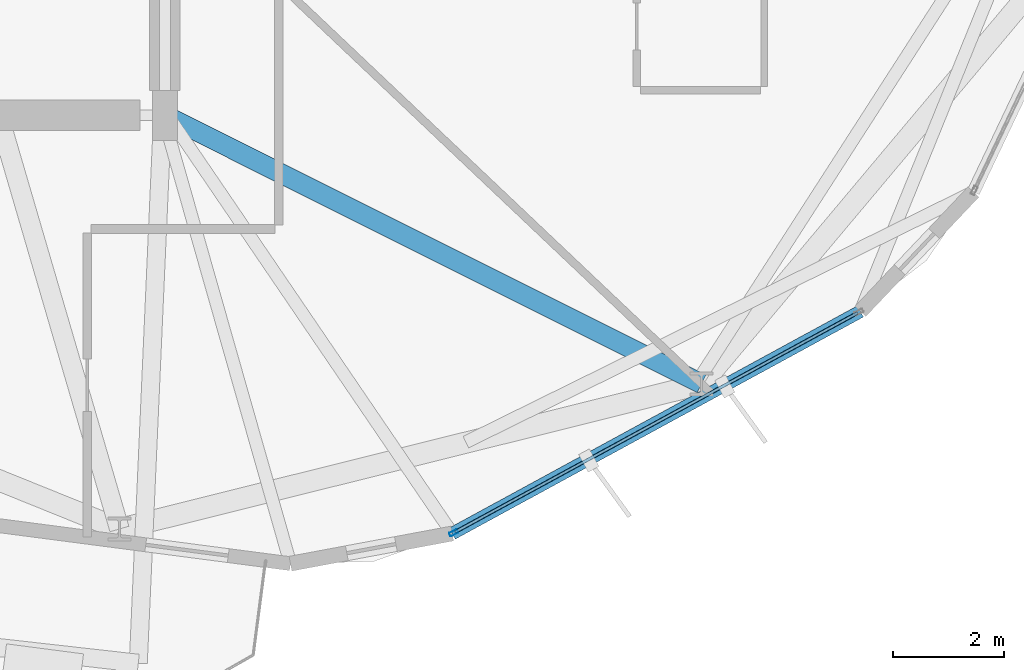
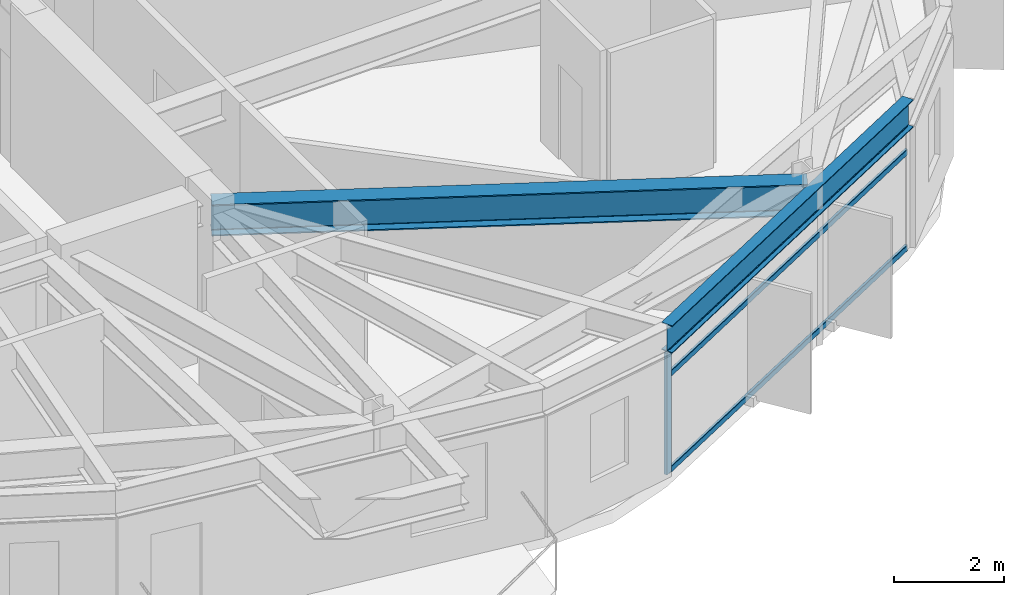
# One storey, part 5 of 23: 4 members, 2 beams, 1 element without a shape of its own.
"""IFC4 building model written with IfcOpenShell, lengths in metres."""

from ifc_helpers import new_model, si_unit, direction, frame, origin, origin_2d, place, context, subcontext, project, spatial, hollow_rectangle, i_section, extrude, material, layer, layer_set, material_profile, profile_set, type_object, element, aggregate, save


model = new_model("IFC4")

# Units and contexts
model_context = context("Model", 3, precision=1e-05, world=origin(), true_north=direction((0.0, 1.0)))
body_context = subcontext(model_context, "Body", "Model", "MODEL_VIEW")
ifc_project = project(units=[si_unit("LENGTHUNIT", "METRE"), si_unit("AREAUNIT", "SQUARE_METRE"), si_unit("VOLUMEUNIT", "CUBIC_METRE"), si_unit("PLANEANGLEUNIT", "RADIAN"), si_unit("MASSUNIT", "GRAM", prefix="KILO")], contexts=[model_context])

# Site, building, storey
site_placement = place(None, origin())
site = spatial("IfcSite", under=ifc_project, at=site_placement, CompositionType="ELEMENT")
building_placement = place(site_placement, origin())
building = spatial("IfcBuilding", under=site, at=building_placement, Name="Soratama Intermodal Tower", CompositionType="ELEMENT")
storey_placement = place(building_placement, frame((0.0, 0.0, 139.0)))
storey = spatial("IfcBuildingStorey", under=building, at=storey_placement, Name="L33", CompositionType="ELEMENT", Elevation=139.0)

# Beams
ifc_material_1 = material(Name="Structural steel ASTM A992 Grade 50", Category="steel")
ifc_material_profile_1 = material_profile(ifc_material_1, i_section(OverallWidth=0.35498046875, OverallDepth=0.695068359375, WebThickness=0.015380859375, FlangeThickness=0.02490234375, FilletRadius=0.01611328125, at=origin_2d()), Name="W27X146")
ifc_profile_set_1 = profile_set([ifc_material_profile_1], Name="Structural steel ASTM A992 Grade 50")
beam_type_1 = type_object("IfcBeamType", Name="BM-RING-W27X146", PredefinedType="BEAM", material=ifc_profile_set_1)
beam_1_placement = place(storey_placement, frame((44.60009765625, 15.0, 2.952392578125), z_axis=(0.894273669201, -0.447520507434, 0.0), x_axis=(0.447520507434, 0.894273669201, 0.0)))
element("IfcBeam", 1, at=beam_1_placement, inside=storey, type_object=beam_type_1, Name="BM-L33-RAD-09", PredefinedType="BEAM", context=body_context, shape_type="SweptSolid", body=[
    extrude(i_section(OverallWidth=0.35498046875, OverallDepth=0.695068359375, WebThickness=0.015380859375, FlangeThickness=0.02490234375, FilletRadius=0.01611328125, at=origin_2d()), origin(), (0.0, 0.0, 1.0), 10.817626953125),
])
ifc_material_2 = material(Name="Structural steel ASTM A992 Grade 50", Category="steel")
ifc_material_profile_2 = material_profile(ifc_material_2, i_section(OverallWidth=0.22900390625, OverallDepth=0.612060546875, WebThickness=0.011962890625, FlangeThickness=0.01953125, FilletRadius=0.012939453125, at=origin_2d()), Name="W24X84")
ifc_profile_set_2 = profile_set([ifc_material_profile_2], Name="Structural steel ASTM A992 Grade 50")
beam_type_2 = type_object("IfcBeamType", Name="BM-SPN-W24X84", PredefinedType="SPANDREL", material=ifc_profile_set_2)
beam_2_placement = place(storey_placement, frame((49.779052734375, 7.4609375, 2.993896484375), z_axis=(0.878332976613, 0.478049351212, 0.0), x_axis=(-0.478049351212, 0.878332976613, 0.0)))
element("IfcBeam", 2, at=beam_2_placement, inside=storey, type_object=beam_type_2, Name="BS-L33-F08", PredefinedType="SPANDREL", context=body_context, shape_type="SweptSolid", body=[
    extrude(i_section(OverallWidth=0.22900390625, OverallDepth=0.612060546875, WebThickness=0.011962890625, FlangeThickness=0.01953125, FilletRadius=0.012939453125, at=origin_2d()), origin(), (0.0, 0.0, 1.0), 8.3759765625),
])

# Curtain wall, members
ifc_material_3 = material(Name="Double-glazed aluminium curtain wall", Category="aluminium")
ifc_layer = layer(ifc_material_3, 0.159912109375)
ifc_layer_set = layer_set([ifc_layer], Name="Double-glazed aluminium curtain wall")
curtain_wall_type = type_object("IfcCurtainWallType", Name="CW-SYS-4", PredefinedType="NOTDEFINED", material=ifc_layer_set)
curtain_wall_placement = place(storey_placement, origin())
curtain_wall = element("IfcCurtainWall", 3, at=curtain_wall_placement, inside=storey, type_object=curtain_wall_type, Name="L33 Faceted Curtain Wall F08", PredefinedType="NOTDEFINED")
ifc_material_4 = material(Name="Anodised aluminium AA 6063-T6", Category="aluminium")
ifc_material_profile_3 = material_profile(ifc_material_4, hollow_rectangle(XDim=0.070068359375, YDim=0.159912109375, WallThickness=0.0048828125, InnerFilletRadius=0.0048828125, OuterFilletRadius=0.010009765625, at=origin_2d()), Name="CWM160X70X5")
ifc_profile_set_3 = profile_set([ifc_material_profile_3], Name="Anodised aluminium AA 6063-T6")
member_type_1 = type_object("IfcMemberType", Name="MT-CWM-4", PredefinedType="MULLION", material=ifc_profile_set_3)
member_1_placement = place(storey_placement, frame((49.804931640625, 7.474853515625, 0.0), z_axis=(0.0, 0.0, 1.0), x_axis=(-0.478083234928, 0.878314533912, 0.0)))
member_1 = element("IfcMember", 4, at=member_1_placement, type_object=member_type_1, Name="CW-4 mullion 1", PredefinedType="MULLION", context=body_context, shape_type="SweptSolid", body=[
    extrude(hollow_rectangle(XDim=0.070068359375, YDim=0.159912109375, WallThickness=0.0048828125, InnerFilletRadius=0.0048828125, OuterFilletRadius=0.010009765625, at=origin_2d()), origin(), (0.0, 0.0, 1.0), 2.678955078125),
])
ifc_material_5 = material(Name="Anodised aluminium AA 6063-T6", Category="aluminium")
ifc_material_profile_4 = material_profile(ifc_material_5, hollow_rectangle(XDim=0.06005859375, YDim=0.1298828125, WallThickness=0.0048828125, InnerFilletRadius=0.0048828125, OuterFilletRadius=0.010009765625, at=origin_2d()), Name="CWT130X60X5")
ifc_profile_set_4 = profile_set([ifc_material_profile_4], Name="Anodised aluminium AA 6063-T6")
member_type_2 = type_object("IfcMemberType", Name="TT-CWT-2", PredefinedType="USERDEFINED", material=ifc_profile_set_4)
member_2_placement = place(storey_placement, frame((49.831298828125, 7.4892578125, 0.030029296875), z_axis=(0.878306600826, 0.478097808974, 0.0), x_axis=(-0.478097808974, 0.878306600826, 0.0)))
member_2 = element("IfcMember", 5, at=member_2_placement, type_object=member_type_2, Name="CW-4 transom 1.1", ObjectType="TRANSOM", PredefinedType="USERDEFINED", context=body_context, shape_type="SweptSolid", body=[
    extrude(hollow_rectangle(XDim=0.06005859375, YDim=0.1298828125, WallThickness=0.0048828125, InnerFilletRadius=0.0048828125, OuterFilletRadius=0.010009765625, at=origin_2d()), origin(), (0.0, 0.0, 1.0), 8.256103515625),
])
member_3_placement = place(storey_placement, frame((49.831298828125, 7.4892578125, 2.14990234375), z_axis=(0.878306600826, 0.478097808974, 0.0), x_axis=(-0.478097808974, 0.878306600826, 0.0)))
member_3 = element("IfcMember", 6, at=member_3_placement, type_object=member_type_2, Name="CW-4 transom 1.2", ObjectType="TRANSOM", PredefinedType="USERDEFINED", context=body_context, shape_type="SweptSolid", body=[
    extrude(hollow_rectangle(XDim=0.06005859375, YDim=0.1298828125, WallThickness=0.0048828125, InnerFilletRadius=0.0048828125, OuterFilletRadius=0.010009765625, at=origin_2d()), origin(), (0.0, 0.0, 1.0), 8.256103515625),
])
member_4_placement = place(storey_placement, frame((49.831298828125, 7.4892578125, 2.64892578125), z_axis=(0.878306600826, 0.478097808974, 0.0), x_axis=(-0.478097808974, 0.878306600826, 0.0)))
member_4 = element("IfcMember", 7, at=member_4_placement, type_object=member_type_2, Name="CW-4 transom 1.3", ObjectType="TRANSOM", PredefinedType="USERDEFINED", context=body_context, shape_type="SweptSolid", body=[
    extrude(hollow_rectangle(XDim=0.06005859375, YDim=0.1298828125, WallThickness=0.0048828125, InnerFilletRadius=0.0048828125, OuterFilletRadius=0.010009765625, at=origin_2d()), origin(), (0.0, 0.0, 1.0), 8.256103515625),
])
aggregate(curtain_wall, [member_1, member_2, member_3, member_4])

save(model, "model.ifc")
